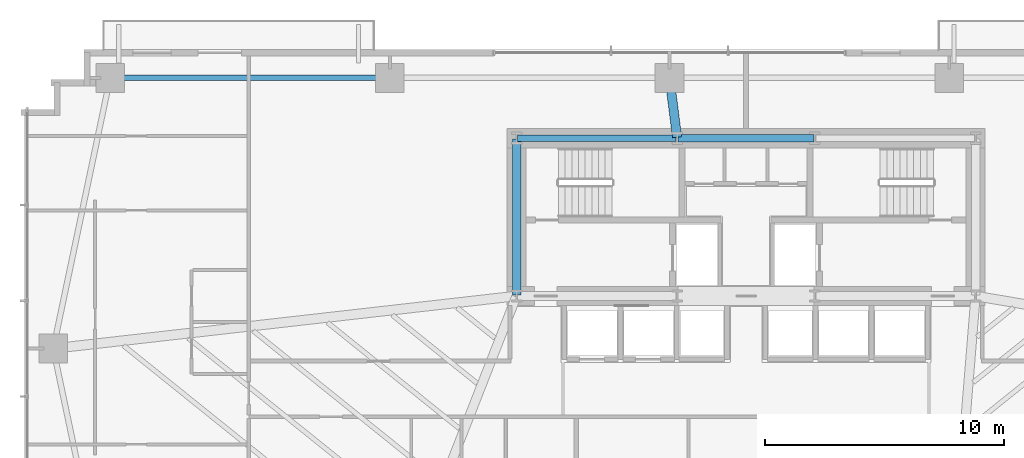
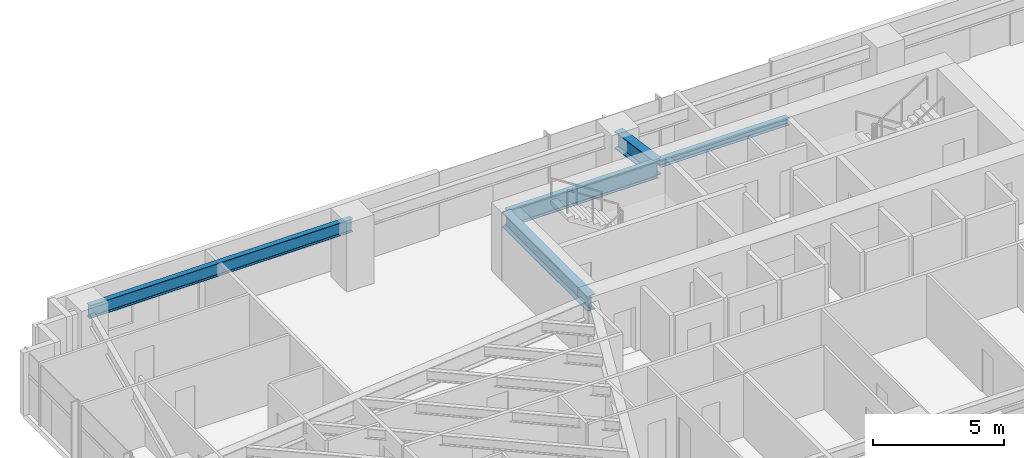
# One storey, part 9 of 25: 5 beams.
"""IFC4 building model written with IfcOpenShell, lengths in metres."""

import ifcopenshell
import ifcopenshell.guid

model = None  # the IFC model being written
_history = None  # IfcOwnerHistory: only IFC2X3 demands one
_inside = {}  # id of a spatial element -> (the spatial element, [elements in it])
_under = {}  # id of a project, library or spatial element -> (it, [spatial elements below it])
_declared = {}  # id of a project -> (the project, [libraries it declares])
_typed = {}  # id of a type object -> (the type object, [elements of that type])
_made_of = {}  # id of a material, layer set ... -> (it, [elements and type objects made of it])


def new_model(schema):
    """Start an empty IFC model of exactly this schema.

    Asked for "IFC4X3", IfcOpenShell would pick the latest addendum, in which some entities
    have other attributes; the version numbers below select the first issue.
    IFC2X3 requires an IfcOwnerHistory on every rooted entity: one is made here for all.
    """
    global model, _history
    if schema == "IFC4X3":
        model = ifcopenshell.file(schema_version=(4, 3, 0, 0))
    else:
        model = ifcopenshell.file(schema=schema)
    _inside.clear()
    _under.clear()
    _declared.clear()
    _typed.clear()
    _made_of.clear()
    _history = None
    if model.schema == "IFC2X3":
        org = make("IfcOrganization", Name="unknown")
        user = make(
            "IfcPersonAndOrganization",
            ThePerson=make("IfcPerson", FamilyName="unknown"),
            TheOrganization=org,
        )
        app = make(
            "IfcApplication",
            ApplicationDeveloper=org,
            Version="unknown",
            ApplicationFullName="unknown",
            ApplicationIdentifier="unknown",
        )
        _history = make(
            "IfcOwnerHistory",
            OwningUser=user,
            OwningApplication=app,
            ChangeAction="ADDED",
            CreationDate=0,
        )
    return model


def make(cls, **values):
    """One entity of the class cls with the attributes given. An attribute that is None is left unset."""
    return model.create_entity(
        cls, **{name: value for name, value in values.items() if value is not None}
    )


def rooted(cls, **values):
    """An entity with a GlobalId (a new one), such as an element, a storey or a relation."""
    return make(cls, GlobalId=ifcopenshell.guid.new(), OwnerHistory=_history, **values)


def si_unit(unit_type, name, prefix=None):
    """IfcSIUnit, for example si_unit("LENGTHUNIT", "METRE", prefix="MILLI")."""
    return make("IfcSIUnit", UnitType=unit_type, Prefix=prefix, Name=name)


def assignment(units):
    """IfcUnitAssignment: the units of a project."""
    return None if units is None else make("IfcUnitAssignment", Units=units)


def point(xyz):
    """IfcCartesianPoint."""
    return None if xyz is None else make("IfcCartesianPoint", Coordinates=xyz)


def direction(xyz):
    """IfcDirection."""
    return None if xyz is None else make("IfcDirection", DirectionRatios=xyz)


def frame(location, z_axis=None, x_axis=None):
    """IfcAxis2Placement3D, a coordinate frame: its origin and axes. An axis left out is left unset."""
    return make(
        "IfcAxis2Placement3D",
        Location=point(location),
        Axis=direction(z_axis),
        RefDirection=direction(x_axis),
    )


def frame_2d(location, x_axis=None):
    """IfcAxis2Placement2D, a coordinate frame in the plane: its origin and x axis."""
    return make(
        "IfcAxis2Placement2D", Location=point(location), RefDirection=direction(x_axis)
    )


def origin():
    """The frame at (0, 0, 0) with its axes left unset."""
    return frame((0.0, 0.0, 0.0))


def origin_2d():
    """The frame at (0, 0) in the plane with its x axis left unset."""
    return frame_2d((0.0, 0.0))


def place(relative_to, where):
    """IfcLocalPlacement: puts the frame where relative to a parent placement (None: the world)."""
    return make(
        "IfcLocalPlacement", PlacementRelTo=relative_to, RelativePlacement=where
    )


def context(
    kind, dimensions, precision=None, world=None, true_north=None, identifier=None
):
    """IfcGeometricRepresentationContext, for example the 3D "Model" context."""
    return make(
        "IfcGeometricRepresentationContext",
        ContextIdentifier=identifier,
        ContextType=kind,
        CoordinateSpaceDimension=dimensions,
        Precision=precision,
        WorldCoordinateSystem=world,
        TrueNorth=true_north,
    )


def subcontext(parent, identifier, kind, view, scale=None):
    """IfcGeometricRepresentationSubContext, for example "Body" below "Model"."""
    return make(
        "IfcGeometricRepresentationSubContext",
        ContextIdentifier=identifier,
        ContextType=kind,
        ParentContext=parent,
        TargetScale=scale,
        TargetView=view,
    )


def project(units=None, contexts=None):
    """IfcProject with its units and contexts."""
    return rooted(
        "IfcProject",
        Name="project",
        RepresentationContexts=contexts,
        UnitsInContext=assignment(units),
    )


def spatial(cls, under=None, at=None, **own):
    """A site, building, storey or space (cls), placed at a placement, below another one or the project."""
    s = rooted(cls, ObjectPlacement=at, **own)
    if under is not None:
        _under.setdefault(under.id(), (under, []))[1].append(s)
    return s


def profile(cls, at=None, kind="AREA", **sizes):
    """A parametric profile (cls). Its sizes go by their IFC names, for example OverallWidth=200.0."""
    return make(cls, ProfileType=kind, Position=at, **sizes)


def i_section(**sizes):
    """IfcIShapeProfileDef."""
    return profile("IfcIShapeProfileDef", **sizes)


def extrude(swept, where, along, depth):
    """IfcExtrudedAreaSolid: the profile swept, set in the frame where, extruded along a direction by depth."""
    return make(
        "IfcExtrudedAreaSolid",
        SweptArea=swept,
        Position=where,
        ExtrudedDirection=direction(along),
        Depth=depth,
    )


def shape(context_of_items, identifier, shape_type, items):
    """IfcShapeRepresentation: the items that make up one representation, for example the "Body"."""
    return make(
        "IfcShapeRepresentation",
        ContextOfItems=context_of_items,
        RepresentationIdentifier=identifier,
        RepresentationType=shape_type,
        Items=items,
    )


def source(mapping_origin, context_of_items, identifier, shape_type, items):
    """IfcRepresentationMap: a shape defined once, which mapped items show again and again."""
    return make(
        "IfcRepresentationMap",
        MappingOrigin=mapping_origin,
        MappedRepresentation=shape(context_of_items, identifier, shape_type, items),
    )


def transform(
    local_origin,
    x_axis=None,
    y_axis=None,
    z_axis=None,
    scale=None,
    scale2=None,
    scale3=None,
    uniform=True,
):
    """IfcCartesianTransformationOperator3D, or its non-uniform kind. x_axis, y_axis, z_axis: its Axis1, 2, 3."""
    if uniform:
        return make(
            "IfcCartesianTransformationOperator3D",
            Axis1=direction(x_axis),
            Axis2=direction(y_axis),
            LocalOrigin=point(local_origin),
            Scale=scale,
            Axis3=direction(z_axis),
        )
    return make(
        "IfcCartesianTransformationOperator3DnonUniform",
        Axis1=direction(x_axis),
        Axis2=direction(y_axis),
        LocalOrigin=point(local_origin),
        Scale=scale,
        Axis3=direction(z_axis),
        Scale2=scale2,
        Scale3=scale3,
    )


def mapped(mapping_source, mapping_target):
    """IfcMappedItem: shows the shape of a source again, moved by a transform."""
    return make(
        "IfcMappedItem", MappingSource=mapping_source, MappingTarget=mapping_target
    )


def material(Name=None, Category=None):
    """IfcMaterial."""
    return make("IfcMaterial", Name=Name, Category=Category)


def material_profile(
    of_material, cross_section, Name=None, Category=None, Priority=None
):
    """IfcMaterialProfile: a cross section and its material."""
    return make(
        "IfcMaterialProfile",
        Name=Name,
        Material=of_material,
        Profile=cross_section,
        Priority=Priority,
        Category=Category,
    )


def profile_set(profiles, Name=None, composite=None):
    """IfcMaterialProfileSet."""
    return make(
        "IfcMaterialProfileSet",
        Name=Name,
        MaterialProfiles=profiles,
        CompositeProfile=composite,
    )


def made_of(thing, what):
    """Note that an element or type object is made of a material, layer set ...; save() writes the relation."""
    if what is not None:
        _made_of.setdefault(what.id(), (what, []))[1].append(thing)
    return thing


def type_object(cls, material=None, **own):
    """A type object (cls), such as IfcWallType, which elements share."""
    return made_of(rooted(cls, **own), material)


def type_shapes(of_type, sources):
    """Give a type object the sources (RepresentationMaps) that its elements show as mapped items."""
    of_type.RepresentationMaps = sources


def element(
    cls,
    number,
    at=None,
    inside=None,
    cuts=None,
    type_object=None,
    material=None,
    context=None,
    identifier="Body",
    shape_type=None,
    held_by="IfcProductDefinitionShape",
    body=None,
    shapes=None,
    **own,
):
    """One element of the class cls, such as IfcWall. Its Tag is "e" and its number.

    at: its placement. inside: the storey or other place that contains it. cuts: it is an
    opening in that element (IfcRelVoidsElement). A single representation is given by context,
    identifier, shape_type and body (its items); several are given by shapes. held_by: the class
    of the entity that holds the representations. save() writes the other relations.
    """
    e = rooted(cls, Tag="e%d" % number, ObjectPlacement=at, **own)
    if body is not None:
        shapes = [shape(context, identifier, shape_type, body)]
    if shapes is not None:
        e.Representation = make(held_by, Representations=shapes)
    if inside is not None:
        _inside.setdefault(inside.id(), (inside, []))[1].append(e)
    if cuts is not None:
        rooted(
            "IfcRelVoidsElement", RelatingBuildingElement=cuts, RelatedOpeningElement=e
        )
    if type_object is not None:
        _typed.setdefault(type_object.id(), (type_object, []))[1].append(e)
    return made_of(e, material)


def aggregate(whole, parts):
    """IfcRelAggregates: a whole, such as a stair, and the parts it consists of."""
    return rooted("IfcRelAggregates", RelatingObject=whole, RelatedObjects=parts)


def save(model, path):
    """Write the relations noted so far, then the file.

    IfcRelAggregates (storeys below a building ...), IfcRelContainedInSpatialStructure (elements
    in a storey), IfcRelDefinesByType, IfcRelAssociatesMaterial and IfcRelDeclares: one each for
    every whole, place, type object, material and project.
    """
    for whole, parts in _under.values():
        aggregate(whole, parts)
    for where, things in _inside.values():
        rooted(
            "IfcRelContainedInSpatialStructure",
            RelatedElements=things,
            RelatingStructure=where,
        )
    for kind, things in _typed.values():
        rooted("IfcRelDefinesByType", RelatedObjects=things, RelatingType=kind)
    for what, things in _made_of.values():
        rooted("IfcRelAssociatesMaterial", RelatedObjects=things, RelatingMaterial=what)
    for by, libraries in _declared.values():
        rooted("IfcRelDeclares", RelatingContext=by, RelatedDefinitions=libraries)
    model.write(path)


model = new_model("IFC4")

# Units and contexts
model_context = context("Model", 3, precision=1e-05, world=origin(), true_north=direction((0.0, 1.0)))
body_context = subcontext(model_context, "Body", "Model", "MODEL_VIEW")
ifc_project = project(units=[si_unit("LENGTHUNIT", "METRE"), si_unit("AREAUNIT", "SQUARE_METRE"), si_unit("VOLUMEUNIT", "CUBIC_METRE"), si_unit("PLANEANGLEUNIT", "RADIAN"), si_unit("MASSUNIT", "GRAM", prefix="KILO")], contexts=[model_context])

# Site, building, storey
site_placement = place(None, origin())
site = spatial("IfcSite", under=ifc_project, at=site_placement, CompositionType="ELEMENT")
building_placement = place(site_placement, origin())
building = spatial("IfcBuilding", under=site, at=building_placement, Name="Astriad Promenade Condominiums", CompositionType="ELEMENT")
storey_placement = place(building_placement, frame((0.0, 0.0, 29.39990234375)))
storey = spatial("IfcBuildingStorey", under=building, at=storey_placement, Name="L07", CompositionType="ELEMENT", Elevation=29.39990234375)

# Beams
ifc_material = material(Name="Steel ASTM A992 Grade 50", Category="steel")
ifc_material_profile_1 = material_profile(ifc_material, i_section(OverallWidth=0.267822265625, OverallDepth=0.76953125, WebThickness=0.015625, FlangeThickness=0.025390625, FilletRadius=0.021484375, at=origin_2d()), Name="W30X132")
ifc_profile_set_1 = profile_set([ifc_material_profile_1], Name="Steel ASTM A992 Grade 50")
beam_type_1 = type_object("IfcBeamType", Name="STEEL FLOOR GIRDER W30X132", PredefinedType="BEAM", material=ifc_profile_set_1)
shared_shape_1 = source(origin(), body_context, "Body", "SweptSolid", [
    extrude(i_section(OverallWidth=0.267822265625, OverallDepth=0.76953125, WebThickness=0.015625, FlangeThickness=0.025390625, FilletRadius=0.021484375, at=origin_2d()), origin(), (0.0, 0.0, 1.0), 6.64013671875),
])
type_shapes(beam_type_1, [shared_shape_1])
beam_1_placement = place(storey_placement, frame((26.43994140625, 24.0, 2.55517578125), z_axis=(1.0, 0.0, 0.0), x_axis=(0.0, 1.0, 0.0)))
element("IfcBeam", 1, at=beam_1_placement, inside=storey, type_object=beam_type_1, Name="Core Ring Beam CG-N1-L07", PredefinedType="BEAM", context=body_context, shape_type="MappedRepresentation", body=[
    mapped(shared_shape_1, transform((0.0, 0.0, 0.0), scale=1.0)),
])
ifc_material_profile_2 = material_profile(ifc_material, i_section(OverallWidth=0.3046875, OverallDepth=0.307861328125, WebThickness=0.010009765625, FlangeThickness=0.015380859375, FilletRadius=0.01513671875, at=origin_2d()), Name="W12X65")
ifc_profile_set_2 = profile_set([ifc_material_profile_2], Name="Steel ASTM A992 Grade 50")
beam_type_2 = type_object("IfcBeamType", Name="STEEL OPENING LINTEL W12X65", PredefinedType="LINTEL", material=ifc_profile_set_2)
shared_shape_2 = source(origin(), body_context, "Body", "SweptSolid", [
    extrude(i_section(OverallWidth=0.3046875, OverallDepth=0.307861328125, WebThickness=0.010009765625, FlangeThickness=0.015380859375, FilletRadius=0.01513671875, at=origin_2d()), origin(), (0.0, 0.0, 1.0), 5.68017578125),
])
type_shapes(beam_type_2, [shared_shape_2])
beam_2_placement = place(storey_placement, frame((33.159912109375, 24.0, 2.7861328125), z_axis=(1.0, 0.0, 0.0), x_axis=(0.0, 1.0, 0.0)))
element("IfcBeam", 2, at=beam_2_placement, inside=storey, type_object=beam_type_2, Name="Core Ring Beam CG-N2-L07", PredefinedType="LINTEL", context=body_context, shape_type="MappedRepresentation", body=[
    mapped(shared_shape_2, transform((0.0, 0.0, 0.0), scale=1.0)),
])
ifc_material_profile_3 = material_profile(ifc_material, i_section(OverallWidth=0.35791015625, OverallDepth=0.706298828125, WebThickness=0.018310546875, FlangeThickness=0.0302734375, FilletRadius=0.020263671875, at=origin_2d()), Name="W27X178")
ifc_profile_set_3 = profile_set([ifc_material_profile_3], Name="Steel ASTM A992 Grade 50")
beam_type_3 = type_object("IfcBeamType", Name="STEEL FLOOR GIRDER W27X178", PredefinedType="BEAM", material=ifc_profile_set_3)
shared_shape_3 = source(origin(), body_context, "Body", "SweptSolid", [
    extrude(i_section(OverallWidth=0.35791015625, OverallDepth=0.706298828125, WebThickness=0.018310546875, FlangeThickness=0.0302734375, FilletRadius=0.020263671875, at=origin_2d()), origin(), (0.0, 0.0, 1.0), 6.52001953125),
])
type_shapes(beam_type_3, [shared_shape_3])
beam_3_placement = place(storey_placement, frame((26.39990234375, 17.43994140625, 2.5869140625), z_axis=(0.0, 1.0, 0.0), x_axis=(-1.0, 0.0, 0.0)))
element("IfcBeam", 3, at=beam_3_placement, inside=storey, type_object=beam_type_3, Name="Core Ring Beam CG-W1-L07", PredefinedType="BEAM", context=body_context, shape_type="MappedRepresentation", body=[
    mapped(shared_shape_3, transform((0.0, 0.0, 0.0), scale=1.0)),
])
ifc_material_profile_4 = material_profile(ifc_material, i_section(OverallWidth=0.22900390625, OverallDepth=0.612060546875, WebThickness=0.011962890625, FlangeThickness=0.01953125, FilletRadius=0.017822265625, at=origin_2d()), Name="W24X84")
ifc_profile_set_4 = profile_set([ifc_material_profile_4], Name="Steel ASTM A992 Grade 50")
beam_type_4 = type_object("IfcBeamType", Name="STEEL SPANDREL BEAM W24X84", PredefinedType="SPANDREL", material=ifc_profile_set_4)
shared_shape_4 = source(origin(), body_context, "Body", "SweptSolid", [
    extrude(i_section(OverallWidth=0.22900390625, OverallDepth=0.612060546875, WebThickness=0.011962890625, FlangeThickness=0.01953125, FilletRadius=0.017822265625, at=origin_2d()), origin(), (0.0, 0.0, 1.0), 11.6201171875),
])
type_shapes(beam_type_4, [shared_shape_4])
beam_4_placement = place(storey_placement, frame((21.06005859375, 26.52001953125, 2.634033203125), z_axis=(-1.0, 0.0, 0.0), x_axis=(0.0, -1.0, 0.0)))
element("IfcBeam", 4, at=beam_4_placement, inside=storey, type_object=beam_type_4, Name="Perimeter Spandrel Beam SP-N1-L07", PredefinedType="SPANDREL", context=body_context, shape_type="MappedRepresentation", body=[
    mapped(shared_shape_4, transform((0.0, 0.0, 0.0), scale=1.0)),
])
ifc_material_profile_5 = material_profile(ifc_material, i_section(OverallWidth=0.3837890625, OverallDepth=0.785888671875, WebThickness=0.019775390625, FlangeThickness=0.033447265625, FilletRadius=0.021484375, at=origin_2d()), Name="W30X211")
ifc_profile_set_5 = profile_set([ifc_material_profile_5], Name="Steel ASTM A992 Grade 50")
beam_type_5 = type_object("IfcBeamType", Name="STEEL FLOOR GIRDER W30X211", PredefinedType="BEAM", material=ifc_profile_set_5)
shared_shape_5 = source(origin(), body_context, "Body", "SweptSolid", [
    extrude(i_section(OverallWidth=0.3837890625, OverallDepth=0.785888671875, WebThickness=0.019775390625, FlangeThickness=0.033447265625, FilletRadius=0.021484375, at=origin_2d()), origin(), (0.0, 0.0, 1.0), 2.4599609375),
])
type_shapes(beam_type_5, [shared_shape_5])
beam_5_placement = place(storey_placement, frame((32.804931640625, 26.480224609375, 2.547119140625), z_axis=(0.126037648346, -0.992025458947, 0.0), x_axis=(0.992025458947, 0.126037648346, 0.0)))
element("IfcBeam", 5, at=beam_5_placement, inside=storey, type_object=beam_type_5, Name="Primary Floor Girder PG-NC-L07", PredefinedType="BEAM", context=body_context, shape_type="MappedRepresentation", body=[
    mapped(shared_shape_5, transform((0.0, 0.0, 0.0), scale=1.0)),
])

save(model, "model.ifc")
